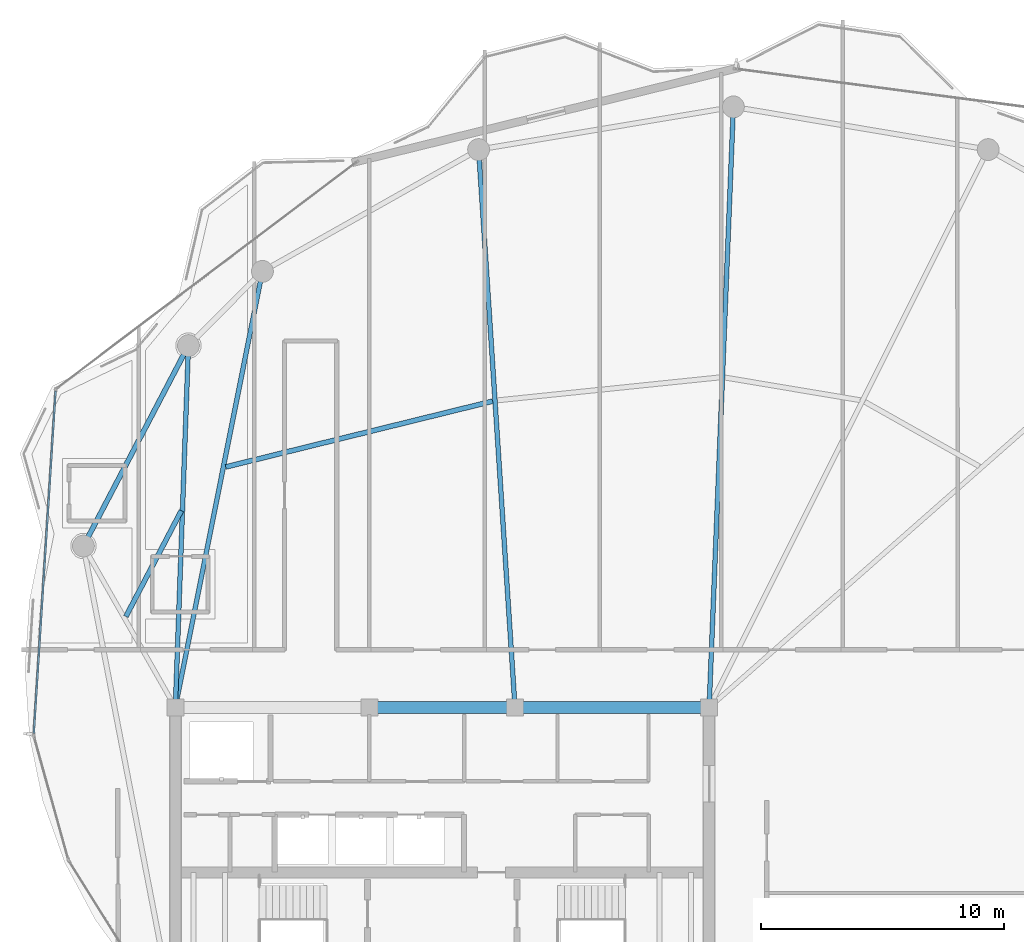
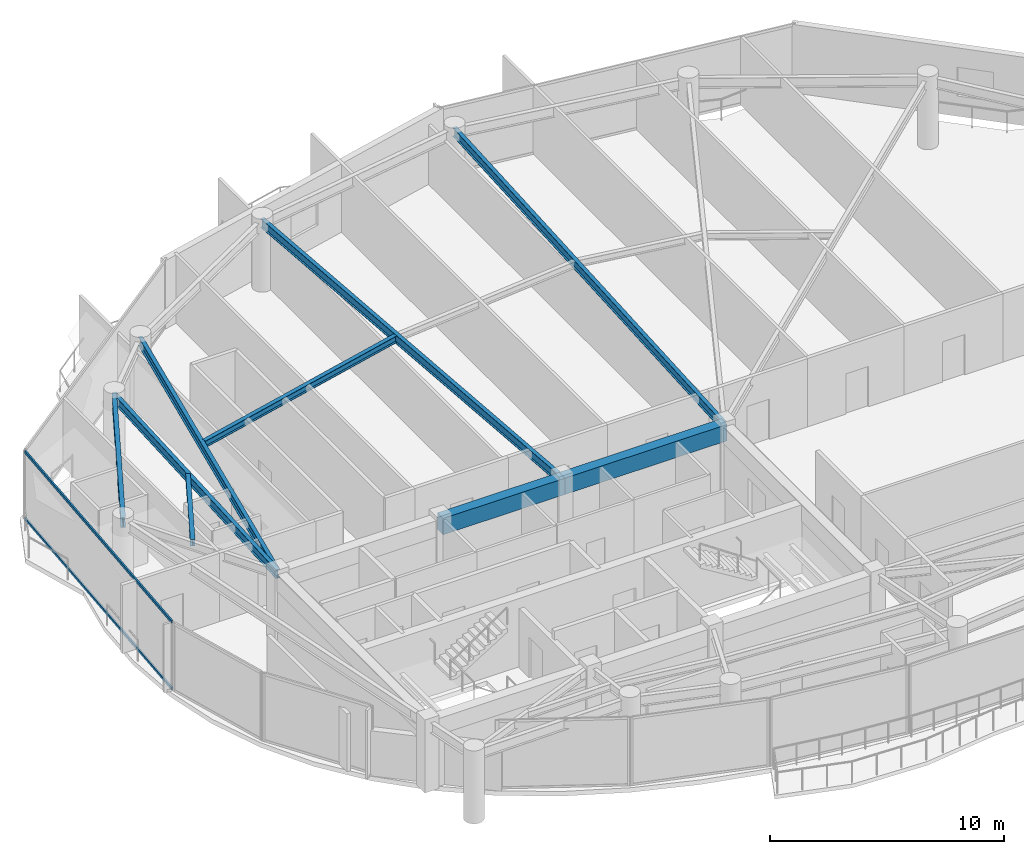
# One storey, part 10 of 29: 9 beams, 2 members, 1 element without a shape of its own.
"""IFC4 building model written with IfcOpenShell, lengths in metres."""

from ifc_helpers import new_model, si_unit, direction, frame, origin, origin_2d, place, context, subcontext, project, spatial, rectangle, hollow_rectangle, i_section, extrude, material, layer, layer_set, material_profile, profile_set, type_object, element, aggregate, save


model = new_model("IFC4")

# Units and contexts
model_context = context("Model", 3, precision=1e-05, world=origin(), true_north=direction((0.0, 1.0)))
body_context = subcontext(model_context, "Body", "Model", "MODEL_VIEW")
ifc_project = project(units=[si_unit("LENGTHUNIT", "METRE"), si_unit("AREAUNIT", "SQUARE_METRE"), si_unit("VOLUMEUNIT", "CUBIC_METRE"), si_unit("PLANEANGLEUNIT", "RADIAN"), si_unit("MASSUNIT", "GRAM", prefix="KILO")], contexts=[model_context])

# Site, building, storey
site_placement = place(None, origin())
site = spatial("IfcSite", under=ifc_project, at=site_placement, CompositionType="ELEMENT")
building_placement = place(site_placement, origin())
building = spatial("IfcBuilding", under=site, at=building_placement, Name="Kazevale Care Tower and Concert Hall", CompositionType="ELEMENT")
storey_placement = place(building_placement, frame((0.0, 0.0, 262.39990234375)))
storey = spatial("IfcBuildingStorey", under=building, at=storey_placement, Name="L69", CompositionType="ELEMENT", Elevation=262.39990234375)

# Curtain wall, members
ifc_material_1 = material(Name="Aluminium 6063-T6 and Low-E Glass", Category="aluminium")
ifc_layer = layer(ifc_material_1, 0.179931640625)
ifc_layer_set = layer_set([ifc_layer], Name="Aluminium 6063-T6 and Low-E Glass")
curtain_wall_type = type_object("IfcCurtainWallType", Name="Waist & Upper Residential Curtain Wall CW-4", PredefinedType="NOTDEFINED", material=ifc_layer_set)
curtain_wall_placement = place(storey_placement, origin())
curtain_wall = element("IfcCurtainWall", 1, at=curtain_wall_placement, inside=storey, type_object=curtain_wall_type, Name="cw:L69:f13", PredefinedType="NOTDEFINED")
ifc_material_2 = material(Name="Aluminium 6063-T6", Category="aluminium")
ifc_material_profile_1 = material_profile(ifc_material_2, hollow_rectangle(XDim=0.080078125, YDim=0.139892578125, WallThickness=0.00390625, at=origin_2d()), Name="ALU80x140x4")
ifc_profile_set_1 = profile_set([ifc_material_profile_1], Name="Aluminium 6063-T6")
member_type = type_object("IfcMemberType", Name="CW-4 Transom ALU80x140x4", PredefinedType="USERDEFINED", material=ifc_profile_set_1)
member_1_placement = place(storey_placement, frame((16.1669921875, 35.333740234375, 0.0400390625), z_axis=(0.063549673171, 0.997978676646, 0.0), x_axis=(-0.997978676646, 0.063549673171, 0.0)))
member_1 = element("IfcMember", 2, at=member_1_placement, type_object=member_type, Name="CW-4 transom 1.1", ObjectType="TRANSOM", PredefinedType="USERDEFINED", context=body_context, shape_type="SweptSolid", body=[
    extrude(hollow_rectangle(XDim=0.080078125, YDim=0.139892578125, WallThickness=0.00390625, at=origin_2d()), origin(), (0.0, 0.0, 1.0), 14.1298828125),
])
member_2_placement = place(storey_placement, frame((16.1669921875, 35.333740234375, 3.52001953125), z_axis=(0.063549673171, 0.997978676646, 0.0), x_axis=(-0.997978676646, 0.063549673171, 0.0)))
member_2 = element("IfcMember", 3, at=member_2_placement, type_object=member_type, Name="CW-4 transom 1.2", ObjectType="TRANSOM", PredefinedType="USERDEFINED", context=body_context, shape_type="SweptSolid", body=[
    extrude(hollow_rectangle(XDim=0.080078125, YDim=0.139892578125, WallThickness=0.00390625, at=origin_2d()), origin(), (0.0, 0.0, 1.0), 14.1298828125),
])
aggregate(curtain_wall, [member_1, member_2])

# Beams
ifc_material_3 = material(Name="Concrete C60", Category="concrete")
ifc_material_profile_2 = material_profile(ifc_material_3, rectangle(XDim=0.5, YDim=0.85009765625, at=origin_2d()), Name="RC-B500x850")
ifc_profile_set_2 = profile_set([ifc_material_profile_2], Name="Concrete C60")
beam_type_1 = type_object("IfcBeamType", Name="Core Coupling Beam RC500x850", PredefinedType="LINTEL", material=ifc_profile_set_2)
beam_1_placement = place(storey_placement, frame((44.0, 36.39990234375, 3.135009765625), z_axis=(-1.0, 0.0, 0.0), x_axis=(0.0, -1.0, 0.0)))
element("IfcBeam", 4, at=beam_1_placement, inside=storey, type_object=beam_type_1, Name="beam:L69:coretie:5", PredefinedType="LINTEL", context=body_context, shape_type="SweptSolid", body=[
    extrude(rectangle(XDim=0.5, YDim=0.85009765625, at=origin_2d()), origin(), (0.0, 0.0, 1.0), 8.0),
])
beam_2_placement = place(storey_placement, frame((36.0, 36.39990234375, 3.135009765625), z_axis=(-1.0, 0.0, 0.0), x_axis=(0.0, -1.0, 0.0)))
element("IfcBeam", 5, at=beam_2_placement, inside=storey, type_object=beam_type_1, Name="beam:L69:coretie:6", PredefinedType="LINTEL", context=body_context, shape_type="SweptSolid", body=[
    extrude(rectangle(XDim=0.5, YDim=0.85009765625, at=origin_2d()), origin(), (0.0, 0.0, 1.0), 6.0),
])
ifc_material_4 = material(Name="Steel ASTM A572 Gr 50", Category="steel")
ifc_material_profile_3 = material_profile(ifc_material_4, i_section(OverallWidth=0.19091796875, OverallDepth=0.4599609375, WebThickness=0.010009765625, FlangeThickness=0.01611328125, at=origin_2d()), Name="W460x82")
ifc_profile_set_3 = profile_set([ifc_material_profile_3], Name="Steel ASTM A572 Gr 50")
beam_type_2 = type_object("IfcBeamType", Name="Radial Floor Beam W460x82", PredefinedType="BEAM", material=ifc_profile_set_3)
beam_3_placement = place(storey_placement, frame((44.0, 36.39990234375, 3.330078125), z_axis=(0.040371101203, 0.999184754781, 0.0), x_axis=(-0.999184754781, 0.040371101203, 0.0)))
element("IfcBeam", 6, at=beam_3_placement, inside=storey, type_object=beam_type_2, Name="beam:L69:rad:05", PredefinedType="BEAM", context=body_context, shape_type="SweptSolid", body=[
    extrude(i_section(OverallWidth=0.19091796875, OverallDepth=0.4599609375, WebThickness=0.010009765625, FlangeThickness=0.01611328125, at=origin_2d()), origin(), (0.0, 0.0, 1.0), 24.770263671875),
])
beam_4_placement = place(storey_placement, frame((36.0, 36.39990234375, 3.330078125), z_axis=(-0.0651073525, 0.997878265446, 0.0), x_axis=(-0.997878265446, -0.0651073525, 0.0)))
element("IfcBeam", 7, at=beam_4_placement, inside=storey, type_object=beam_type_2, Name="beam:L69:rad:06", PredefinedType="BEAM", context=body_context, shape_type="SweptSolid", body=[
    extrude(i_section(OverallWidth=0.19091796875, OverallDepth=0.4599609375, WebThickness=0.010009765625, FlangeThickness=0.01611328125, at=origin_2d()), origin(), (0.0, 0.0, 1.0), 23.038818359375),
])
beam_5_placement = place(storey_placement, frame((22.0, 36.39990234375, 3.330078125), z_axis=(0.195908605871, 0.980622158706, 0.0), x_axis=(-0.980622158706, 0.195908605871, 0.0)))
element("IfcBeam", 8, at=beam_5_placement, inside=storey, type_object=beam_type_2, Name="beam:L69:rad:07", PredefinedType="BEAM", context=body_context, shape_type="SweptSolid", body=[
    extrude(i_section(OverallWidth=0.19091796875, OverallDepth=0.4599609375, WebThickness=0.010009765625, FlangeThickness=0.01611328125, at=origin_2d()), origin(), (0.0, 0.0, 1.0), 18.325439453125),
])
beam_6_placement = place(storey_placement, frame((22.0, 36.39990234375, 3.330078125), z_axis=(0.036195810092, 0.999344716968, 0.0), x_axis=(-0.999344716968, 0.036195810092, 0.0)))
element("IfcBeam", 9, at=beam_6_placement, inside=storey, type_object=beam_type_2, Name="beam:L69:rad:08", PredefinedType="BEAM", context=body_context, shape_type="SweptSolid", body=[
    extrude(i_section(OverallWidth=0.19091796875, OverallDepth=0.4599609375, WebThickness=0.010009765625, FlangeThickness=0.01611328125, at=origin_2d()), origin(), (0.0, 0.0, 1.0), 14.919921875),
])
ifc_material_profile_4 = material_profile(ifc_material_4, i_section(OverallWidth=0.205078125, OverallDepth=0.35400390625, WebThickness=0.009521484375, FlangeThickness=0.016845703125, at=origin_2d()), Name="W360x79")
ifc_profile_set_4 = profile_set([ifc_material_profile_4], Name="Steel ASTM A572 Gr 50")
beam_type_3 = type_object("IfcBeamType", Name="Secondary Floor Joist W360x79", PredefinedType="JOIST", material=ifc_profile_set_4)
beam_7_placement = place(storey_placement, frame((35.072998046875, 49.01904296875, 3.383056640625), z_axis=(-0.970953581022, -0.239267932452, 0.0), x_axis=(0.239267932452, -0.970953581022, 0.0)))
element("IfcBeam", 10, at=beam_7_placement, inside=storey, type_object=beam_type_3, Name="beam:L69:joist:06", PredefinedType="JOIST", context=body_context, shape_type="SweptSolid", body=[
    extrude(i_section(OverallWidth=0.205078125, OverallDepth=0.35400390625, WebThickness=0.009521484375, FlangeThickness=0.016845703125, at=origin_2d()), origin(), (0.0, 0.0, 1.0), 11.326171875),
])
beam_8_placement = place(storey_placement, frame((22.248046875, 44.508056640625, 3.383056640625), z_axis=(-0.46418126854, -0.885740227119, 0.0), x_axis=(0.885740227119, -0.46418126854, 0.0)))
element("IfcBeam", 11, at=beam_8_placement, inside=storey, type_object=beam_type_3, Name="beam:L69:joist:08", PredefinedType="JOIST", context=body_context, shape_type="SweptSolid", body=[
    extrude(i_section(OverallWidth=0.205078125, OverallDepth=0.35400390625, WebThickness=0.009521484375, FlangeThickness=0.016845703125, at=origin_2d()), origin(), (0.0, 0.0, 1.0), 4.92041015625),
])
ifc_material_profile_5 = material_profile(ifc_material_4, i_section(OverallWidth=0.208984375, OverallDepth=0.532958984375, WebThickness=0.01025390625, FlangeThickness=0.015625, at=origin_2d()), Name="W530x92")
ifc_profile_set_5 = profile_set([ifc_material_profile_5], Name="Steel ASTM A572 Gr 50")
beam_type_4 = type_object("IfcBeamType", Name="Upper Ring Beam W530x92", PredefinedType="BEAM", material=ifc_profile_set_5)
beam_9_placement = place(storey_placement, frame((22.5400390625, 51.31005859375, 3.293701171875), z_axis=(-0.464293577914, -0.885681361161, 0.0), x_axis=(0.885681361161, -0.464293577914, 0.0)))
element("IfcBeam", 12, at=beam_9_placement, inside=storey, type_object=beam_type_4, Name="beam:L69:ring:08", PredefinedType="BEAM", context=body_context, shape_type="SweptSolid", body=[
    extrude(i_section(OverallWidth=0.208984375, OverallDepth=0.532958984375, WebThickness=0.01025390625, FlangeThickness=0.015625, at=origin_2d()), origin(), (0.0, 0.0, 1.0), 9.326171875),
])

save(model, "model.ifc")
